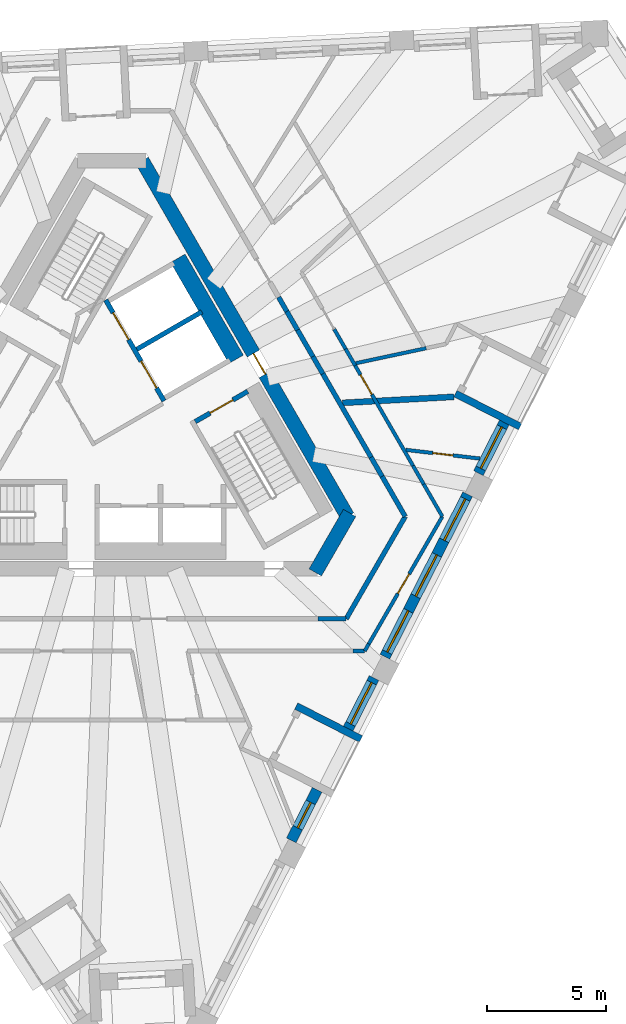
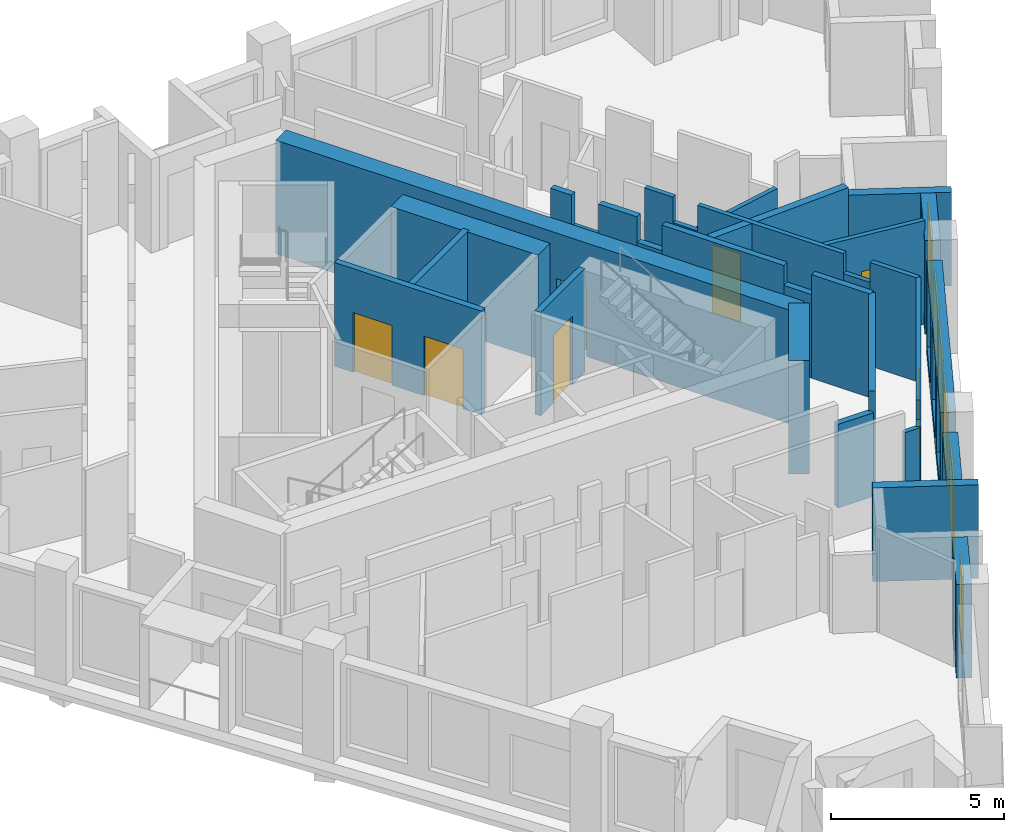
# One storey, part 5 of 12: 32 walls, 7 doors, 6 windows, 13 openings.
"""IFC4 building model written with IfcOpenShell, lengths in metres."""

from ifc_helpers import new_model, si_unit, direction, frame, frame_2d, origin, place, context, subcontext, project, spatial, rectangle, extrude, material, layer, layer_set, type_object, element, fill, save


model = new_model("IFC4")

# Units and contexts
model_context = context("Model", 3, precision=1e-05, world=origin(), true_north=direction((0.0, 1.0)))
body_context = subcontext(model_context, "Body", "Model", "MODEL_VIEW")
ifc_project = project(units=[si_unit("LENGTHUNIT", "METRE"), si_unit("AREAUNIT", "SQUARE_METRE"), si_unit("VOLUMEUNIT", "CUBIC_METRE"), si_unit("PLANEANGLEUNIT", "RADIAN"), si_unit("MASSUNIT", "GRAM", prefix="KILO")], contexts=[model_context])

# Site, building, storey
site_placement = place(None, origin())
site = spatial("IfcSite", under=ifc_project, at=site_placement, CompositionType="ELEMENT")
building_placement = place(site_placement, origin())
building = spatial("IfcBuilding", under=site, at=building_placement, Name="Tramontana Tower", CompositionType="ELEMENT")
storey_placement = place(building_placement, frame((0.0, 0.0, 302.39990234375)))
storey = spatial("IfcBuildingStorey", under=building, at=storey_placement, Name="L71", CompositionType="ELEMENT", Elevation=302.39990234375)

# Wall
ifc_material_1 = material(Name="Concrete 70 MPa", Category="concrete")
ifc_layer_1 = layer(ifc_material_1, 0.60009765625)
ifc_layer_set_1 = layer_set([ifc_layer_1], Name="Core wall 600 70 MPa")
wall_type_1 = type_object("IfcWallType", Name="Core wall 600 70 MPa", PredefinedType="SHEAR", material=ifc_layer_set_1)
wall_1_placement = place(storey_placement, frame((8.544921875, -6.60009765625, 0.0), z_axis=(0.0, 0.0, 1.0), x_axis=(0.499995765644, 0.866027848477, 0.0)))
element("IfcWall", 1, at=wall_1_placement, inside=storey, type_object=wall_type_1, Name="Core wall C4 L71", PredefinedType="SHEAR", context=body_context, shape_type="SweptSolid", body=[
    extrude(rectangle(XDim=2.88671875, YDim=0.60009765625, at=frame_2d((1.443359375, 0.0))), origin(), (0.0, 0.0, 1.0), 4.0),
])

# Wall, opening, door
wall_2_placement = place(storey_placement, frame((9.901611328125, -4.25, 0.0), z_axis=(0.0, 0.0, 1.0), x_axis=(-0.499999536116, 0.866025671608, 0.0)))
wall_2 = element("IfcWall", 2, at=wall_2_placement, inside=storey, type_object=wall_type_1, Name="Core wall C5 L71", PredefinedType="SHEAR", context=body_context, shape_type="SweptSolid", body=[
    extrude(rectangle(XDim=17.2626953125, YDim=0.60009765625, at=frame_2d((8.63134765625, 0.0))), origin(), (0.0, 0.0, 1.0), 4.0),
])
opening_1_placement = place(wall_2_placement, frame((6.906494140625, 0.0, 0.0)))
opening_1 = element("IfcOpeningElement", 3, at=opening_1_placement, cuts=wall_2, Name="Opening RG3", PredefinedType="OPENING", context=body_context, shape_type="SweptSolid", body=[
    extrude(rectangle(XDim=1.0, YDim=2.39990234375, at=frame_2d((0.5, 1.199951171875))), frame((0.0, 0.31005859375, 0.0), z_axis=(0.0, -1.0, 0.0), x_axis=(1.0, 0.0, 0.0)), (0.0, 0.0, 1.0), 0.6201171875),
])
ifc_material_2 = material(Name="Painted steel", Category="steel")
door_type_1 = type_object("IfcDoorType", Name="RING DOOR 1000", OperationType="SINGLE_SWING_LEFT", PredefinedType="DOOR", material=ifc_material_2)
door_1_placement = place(opening_1_placement, origin())
door_1 = element("IfcDoor", 4, at=door_1_placement, inside=storey, type_object=door_type_1, Name="Door RG3", OperationType="SINGLE_SWING_RIGHT", OverallHeight=2.39990234375, OverallWidth=1.0, PredefinedType="DOOR", context=body_context, shape_type="SweptSolid", body=[
    extrude(rectangle(XDim=1.0, YDim=2.39990234375, at=frame_2d((0.5, 1.199951171875))), frame((0.0, 0.02490234375, 0.0), z_axis=(0.0, -1.0, 0.0), x_axis=(1.0, 0.0, 0.0)), (0.0, 0.0, 1.0), 0.050048828125),
])
fill(opening_1, door_1)

# Walls
ifc_material_3 = material(Name="Blockwork", Category="masonry")
ifc_layer_2 = layer(ifc_material_3, 0.199951171875)
ifc_layer_set_2 = layer_set([ifc_layer_2], Name="ENTRY WALL 200")
wall_type_2 = type_object("IfcWallType", Name="ENTRY WALL 200", PredefinedType="SOLIDWALL", material=ifc_layer_set_2)
wall_3_placement = place(storey_placement, frame((12.326416015625, -4.25, 0.0), z_axis=(0.0, 0.0, 1.0), x_axis=(-0.50000478328, -0.866022642139, 0.0)))
element("IfcWall", 5, at=wall_3_placement, inside=storey, type_object=wall_type_2, Name="Wall v72-ew0", PredefinedType="SOLIDWALL", context=body_context, shape_type="SweptSolid", body=[
    extrude(rectangle(XDim=4.96533203125, YDim=0.199951171875, at=frame_2d((2.482666015625, 0.0))), origin(), (0.0, 0.0, 1.0), 3.650146484375),
])
wall_4_placement = place(storey_placement, frame((9.84375, -8.550048828125, 0.0), z_axis=(0.0, 0.0, 1.0), x_axis=(-1.0, 0.0, 0.0)))
element("IfcWall", 6, at=wall_4_placement, inside=storey, type_object=wall_type_2, Name="Wall v72-ew1-0", PredefinedType="SOLIDWALL", context=body_context, shape_type="SweptSolid", body=[
    extrude(rectangle(XDim=1.1884765625, YDim=0.199951171875, at=frame_2d((0.59423828125, 0.0))), origin(), (0.0, 0.0, 1.0), 2.9501953125),
])
wall_5_placement = place(storey_placement, frame((7.0068359375, 4.963623046875, 0.0), z_axis=(0.0, 0.0, 1.0), x_axis=(0.499977339252, -0.866038486578, 0.0)))
element("IfcWall", 7, at=wall_5_placement, inside=storey, type_object=wall_type_2, Name="Wall v72-ew5-5", PredefinedType="SOLIDWALL", context=body_context, shape_type="SweptSolid", body=[
    extrude(rectangle(XDim=0.69091796875, YDim=0.199951171875, at=frame_2d((0.345458984375, 0.0))), origin(), (0.0, 0.0, 1.0), 3.650146484375),
])
wall_6_placement = place(storey_placement, frame((7.352294921875, 4.365234375, 0.0), z_axis=(0.0, 0.0, 1.0), x_axis=(0.500074377092, -0.865982457891, 0.0)))
element("IfcWall", 8, at=wall_6_placement, inside=storey, type_object=wall_type_2, Name="Wall v72-ew5-6", PredefinedType="SOLIDWALL", context=body_context, shape_type="SweptSolid", body=[
    extrude(rectangle(XDim=0.900634765625, YDim=0.199951171875, at=frame_2d((0.4501953125, 0.0))), origin(), (0.0, 0.0, 1.0), 2.550048828125),
])
wall_7_placement = place(storey_placement, frame((7.802734375, 3.585205078125, 0.0), z_axis=(0.0, 0.0, 1.0), x_axis=(0.500018234033, -0.866014876105, 0.0)))
element("IfcWall", 9, at=wall_7_placement, inside=storey, type_object=wall_type_2, Name="Wall v72-ew5-7", PredefinedType="SOLIDWALL", context=body_context, shape_type="SweptSolid", body=[
    extrude(rectangle(XDim=1.2861328125, YDim=0.199951171875, at=frame_2d((0.64306640625, 0.0))), origin(), (0.0, 0.0, 1.0), 3.650146484375),
])
wall_8_placement = place(storey_placement, frame((8.44580078125, 2.471435546875, 0.0), z_axis=(0.0, 0.0, 1.0), x_axis=(0.499950631041, -0.86605390509, 0.0)))
element("IfcWall", 10, at=wall_8_placement, inside=storey, type_object=wall_type_2, Name="Wall v72-ew5-8", PredefinedType="SOLIDWALL", context=body_context, shape_type="SweptSolid", body=[
    extrude(rectangle(XDim=0.83349609375, YDim=0.199951171875, at=frame_2d((0.416748046875, 0.0))), origin(), (0.0, 0.0, 1.0), 2.75),
])
wall_9_placement = place(storey_placement, frame((8.862548828125, 1.74951171875, 0.0), z_axis=(0.0, 0.0, 1.0), x_axis=(0.500007556608, -0.866021040931, 0.0)))
element("IfcWall", 11, at=wall_9_placement, inside=storey, type_object=wall_type_2, Name="Wall v72-ew5-9", PredefinedType="SOLIDWALL", context=body_context, shape_type="SweptSolid", body=[
    extrude(rectangle(XDim=4.05224609375, YDim=0.199951171875, at=frame_2d((2.026123046875, 0.0))), origin(), (0.0, 0.0, 1.0), 3.650146484375),
])
wall_10_placement = place(storey_placement, frame((10.888671875, -1.759765625, 0.0), z_axis=(0.0, 0.0, 1.0), x_axis=(0.500102178127, -0.865966403178, 0.0)))
element("IfcWall", 12, at=wall_10_placement, inside=storey, type_object=wall_type_2, Name="Wall v72-ew5-10", PredefinedType="SOLIDWALL", context=body_context, shape_type="SweptSolid", body=[
    extrude(rectangle(XDim=0.927490234375, YDim=0.199951171875, at=frame_2d((0.4638671875, 0.0))), origin(), (0.0, 0.0, 1.0), 2.9501953125),
])
wall_11_placement = place(storey_placement, frame((11.3525390625, -2.56298828125, 0.0), z_axis=(0.0, 0.0, 1.0), x_axis=(0.499953905513, -0.866052014814, 0.0)))
element("IfcWall", 13, at=wall_11_placement, inside=storey, type_object=wall_type_2, Name="Wall v72-ew5-11", PredefinedType="SOLIDWALL", context=body_context, shape_type="SweptSolid", body=[
    extrude(rectangle(XDim=1.947998046875, YDim=0.199951171875, at=frame_2d((0.97412109375, 0.0))), origin(), (0.0, 0.0, 1.0), 3.650146484375),
])

# Wall, opening, window
ifc_material_4 = material(Name="Precast concrete 60 MPa", Category="concrete")
ifc_layer_3 = layer(ifc_material_4, 0.449951171875)
ifc_layer_set_3 = layer_set([ifc_layer_3], Name="Precast concrete 60 MPa, 450 mm")
wall_type_3 = type_object("IfcWallType", Name="EW1 Stone-faced precast wall 450", PredefinedType="SOLIDWALL", material=ifc_layer_set_3)
wall_12_placement = place(storey_placement, frame((7.53857421875, -17.859375, 0.0), z_axis=(0.0, 0.0, 1.0), x_axis=(0.454074413722, 0.890963762901, 0.0)))
wall_12 = element("IfcWall", 14, at=wall_12_placement, inside=storey, type_object=wall_type_3, Name="External wall L71 face 1 bay 2", PredefinedType="SOLIDWALL", context=body_context, shape_type="SweptSolid", body=[
    extrude(rectangle(XDim=2.38671875, YDim=0.449951171875, at=frame_2d((1.193359375, 0.0))), origin(), (0.0, 0.0, 1.0), 3.300048828125),
])
opening_2_placement = place(wall_12_placement, frame((0.59326171875, 0.0, 0.39990234375)))
opening_2 = element("IfcOpeningElement", 15, at=opening_2_placement, cuts=wall_12, Name="Opening N3", PredefinedType="OPENING", context=body_context, shape_type="SweptSolid", body=[
    extrude(rectangle(XDim=1.199951171875, YDim=2.75, at=frame_2d((0.60009765625, 1.375))), frame((0.0, 0.23486328125, 0.0), z_axis=(0.0, -1.0, 0.0), x_axis=(1.0, 0.0, 0.0)), (0.0, 0.0, 1.0), 0.469970703125),
])
ifc_material_5 = material(Name="Aluminum frame, double glazing unit", Category="aluminium")
window_type_1 = type_object("IfcWindowType", Name="N3 Window 1.2 x 2.75", PartitioningType="SINGLE_PANEL", PredefinedType="WINDOW", material=ifc_material_5)
window_1_placement = place(opening_2_placement, origin())
window_1 = element("IfcWindow", 16, at=window_1_placement, inside=storey, type_object=window_type_1, Name="Window N3 L71 face 1 module 4", OverallHeight=2.75, OverallWidth=1.199951171875, PartitioningType="SINGLE_PANEL", PredefinedType="WINDOW", context=body_context, shape_type="SweptSolid", body=[
    extrude(rectangle(XDim=1.199951171875, YDim=2.75, at=frame_2d((0.60009765625, 1.375))), frame((0.0, 0.030029296875, 0.0), z_axis=(0.0, -1.0, 0.0), x_axis=(1.0, 0.0, 0.0)), (0.0, 0.0, 1.0), 0.06005859375),
])
fill(opening_2, window_1)

wall_13_placement = place(storey_placement, frame((9.932861328125, -13.16064453125, 0.0), z_axis=(0.0, 0.0, 1.0), x_axis=(0.453993206954, 0.891005144788, 0.0)))
wall_13 = element("IfcWall", 17, at=wall_13_placement, inside=storey, type_object=wall_type_3, Name="External wall L71 face 1 bay 2", PredefinedType="SOLIDWALL", context=body_context, shape_type="SweptSolid", body=[
    extrude(rectangle(XDim=2.386474609375, YDim=0.449951171875, at=frame_2d((1.193359375, 0.0))), origin(), (0.0, 0.0, 1.0), 3.300048828125),
])
opening_3_placement = place(wall_13_placement, frame((0.21826171875, 0.0, 0.39990234375)))
opening_3 = element("IfcOpeningElement", 18, at=opening_3_placement, cuts=wall_13, Name="Opening M3", PredefinedType="OPENING", context=body_context, shape_type="SweptSolid", body=[
    extrude(rectangle(XDim=1.949951171875, YDim=2.75, at=frame_2d((0.97509765625, 1.375))), frame((0.0, 0.23486328125, 0.0), z_axis=(0.0, -1.0, 0.0), x_axis=(1.0, 0.0, 0.0)), (0.0, 0.0, 1.0), 0.469970703125),
])
ifc_material_6 = material(Name="Aluminum frame, double glazing unit", Category="aluminium")
window_type_2 = type_object("IfcWindowType", Name="M3 Window 1.95 x 2.75", PartitioningType="SINGLE_PANEL", PredefinedType="WINDOW", material=ifc_material_6)
window_2_placement = place(opening_3_placement, origin())
window_2 = element("IfcWindow", 19, at=window_2_placement, inside=storey, type_object=window_type_2, Name="Window M3 L71 face 1 module 6", OverallHeight=2.75, OverallWidth=1.949951171875, PartitioningType="SINGLE_PANEL", PredefinedType="WINDOW", context=body_context, shape_type="SweptSolid", body=[
    extrude(rectangle(XDim=1.949951171875, YDim=2.75, at=frame_2d((0.97509765625, 1.375))), frame((0.0, 0.030029296875, 0.0), z_axis=(0.0, -1.0, 0.0), x_axis=(1.0, 0.0, 0.0)), (0.0, 0.0, 1.0), 0.06005859375),
])
fill(opening_3, window_2)

# Wall, openings, windows
wall_14_placement = place(storey_placement, frame((11.47021484375, -10.14306640625, 0.0), z_axis=(0.0, 0.0, 1.0), x_axis=(0.453995484395, 0.891003984362, 0.0)))
wall_14 = element("IfcWall", 20, at=wall_14_placement, inside=storey, type_object=wall_type_3, Name="External wall L71 face 1 bay 3", PredefinedType="SOLIDWALL", context=body_context, shape_type="SweptSolid", body=[
    extrude(rectangle(XDim=7.660400390625, YDim=0.449951171875, at=frame_2d((3.830078125, 0.0))), origin(), (0.0, 0.0, 1.0), 3.300048828125),
])
opening_4_placement = place(wall_14_placement, frame((0.21826171875, 0.0, 0.39990234375)))
opening_4 = element("IfcOpeningElement", 21, at=opening_4_placement, cuts=wall_14, Name="Opening M3", PredefinedType="OPENING", context=body_context, shape_type="SweptSolid", body=[
    extrude(rectangle(XDim=1.949951171875, YDim=2.75, at=frame_2d((0.97509765625, 1.375))), frame((0.0, 0.23486328125, 0.0), z_axis=(0.0, -1.0, 0.0), x_axis=(1.0, 0.0, 0.0)), (0.0, 0.0, 1.0), 0.469970703125),
])
opening_5_placement = place(wall_14_placement, frame((2.855224609375, 0.0, 0.39990234375)))
opening_5 = element("IfcOpeningElement", 22, at=opening_5_placement, cuts=wall_14, Name="Opening M3", PredefinedType="OPENING", context=body_context, shape_type="SweptSolid", body=[
    extrude(rectangle(XDim=1.949951171875, YDim=2.75, at=frame_2d((0.97509765625, 1.375))), frame((0.0, 0.23486328125, 0.0), z_axis=(0.0, -1.0, 0.0), x_axis=(1.0, 0.0, 0.0)), (0.0, 0.0, 1.0), 0.469970703125),
])
opening_6_placement = place(wall_14_placement, frame((5.491943359375, 0.0, 0.39990234375)))
opening_6 = element("IfcOpeningElement", 23, at=opening_6_placement, cuts=wall_14, Name="Opening M3", PredefinedType="OPENING", context=body_context, shape_type="SweptSolid", body=[
    extrude(rectangle(XDim=1.949951171875, YDim=2.75, at=frame_2d((0.97509765625, 1.375))), frame((0.0, 0.23486328125, 0.0), z_axis=(0.0, -1.0, 0.0), x_axis=(1.0, 0.0, 0.0)), (0.0, 0.0, 1.0), 0.469970703125),
])
window_3_placement = place(opening_4_placement, origin())
window_3 = element("IfcWindow", 24, at=window_3_placement, inside=storey, type_object=window_type_2, Name="Window M3 L71 face 1 module 7", OverallHeight=2.75, OverallWidth=1.949951171875, PartitioningType="SINGLE_PANEL", PredefinedType="WINDOW", context=body_context, shape_type="SweptSolid", body=[
    extrude(rectangle(XDim=1.949951171875, YDim=2.75, at=frame_2d((0.97509765625, 1.375))), frame((0.0, 0.030029296875, 0.0), z_axis=(0.0, -1.0, 0.0), x_axis=(1.0, 0.0, 0.0)), (0.0, 0.0, 1.0), 0.06005859375),
])
fill(opening_4, window_3)
window_4_placement = place(opening_5_placement, origin())
window_4 = element("IfcWindow", 25, at=window_4_placement, inside=storey, type_object=window_type_2, Name="Window M3 L71 face 1 module 8", OverallHeight=2.75, OverallWidth=1.949951171875, PartitioningType="SINGLE_PANEL", PredefinedType="WINDOW", context=body_context, shape_type="SweptSolid", body=[
    extrude(rectangle(XDim=1.949951171875, YDim=2.75, at=frame_2d((0.97509765625, 1.375))), frame((0.0, 0.030029296875, 0.0), z_axis=(0.0, -1.0, 0.0), x_axis=(1.0, 0.0, 0.0)), (0.0, 0.0, 1.0), 0.06005859375),
])
fill(opening_5, window_4)
window_5_placement = place(opening_6_placement, origin())
window_5 = element("IfcWindow", 26, at=window_5_placement, inside=storey, type_object=window_type_2, Name="Window M3 L71 face 1 module 9", OverallHeight=2.75, OverallWidth=1.949951171875, PartitioningType="SINGLE_PANEL", PredefinedType="WINDOW", context=body_context, shape_type="SweptSolid", body=[
    extrude(rectangle(XDim=1.949951171875, YDim=2.75, at=frame_2d((0.97509765625, 1.375))), frame((0.0, 0.030029296875, 0.0), z_axis=(0.0, -1.0, 0.0), x_axis=(1.0, 0.0, 0.0)), (0.0, 0.0, 1.0), 0.06005859375),
])
fill(opening_6, window_5)

# Wall, opening, window
wall_15_placement = place(storey_placement, frame((15.402099609375, -2.4267578125, 0.0), z_axis=(0.0, 0.0, 1.0), x_axis=(0.453951830128, 0.891026226283, 0.0)))
wall_15 = element("IfcWall", 27, at=wall_15_placement, inside=storey, type_object=wall_type_3, Name="External wall L71 face 1 bay 4", PredefinedType="SOLIDWALL", context=body_context, shape_type="SweptSolid", body=[
    extrude(rectangle(XDim=2.38671875, YDim=0.449951171875, at=frame_2d((1.193359375, 0.0))), origin(), (0.0, 0.0, 1.0), 3.300048828125),
])
opening_7_placement = place(wall_15_placement, frame((0.21826171875, 0.0, 0.39990234375)))
opening_7 = element("IfcOpeningElement", 28, at=opening_7_placement, cuts=wall_15, Name="Opening M3", PredefinedType="OPENING", context=body_context, shape_type="SweptSolid", body=[
    extrude(rectangle(XDim=1.949951171875, YDim=2.75, at=frame_2d((0.97509765625, 1.375))), frame((0.0, 0.23486328125, 0.0), z_axis=(0.0, -1.0, 0.0), x_axis=(1.0, 0.0, 0.0)), (0.0, 0.0, 1.0), 0.469970703125),
])
window_6_placement = place(opening_7_placement, origin())
window_6 = element("IfcWindow", 29, at=window_6_placement, inside=storey, type_object=window_type_2, Name="Window M3 L71 face 1 module 10", OverallHeight=2.75, OverallWidth=1.949951171875, PartitioningType="SINGLE_PANEL", PredefinedType="WINDOW", context=body_context, shape_type="SweptSolid", body=[
    extrude(rectangle(XDim=1.949951171875, YDim=2.75, at=frame_2d((0.97509765625, 1.375))), frame((0.0, 0.030029296875, 0.0), z_axis=(0.0, -1.0, 0.0), x_axis=(1.0, 0.0, 0.0)), (0.0, 0.0, 1.0), 0.06005859375),
])
fill(opening_7, window_6)

# Walls
ifc_material_7 = material(Name="Precast concrete 60 MPa", Category="concrete")
ifc_layer_4 = layer(ifc_material_7, 0.300048828125)
ifc_layer_set_4 = layer_set([ifc_layer_4], Name="LW1 Stone-faced loggia wall 300")
wall_type_4 = type_object("IfcWallType", Name="LW1 Stone-faced loggia wall 300", PredefinedType="SOLIDWALL", material=ifc_layer_set_4)
for number, where, z_axis, x_axis, name in (
    (30, (10.466064453125, -13.600830078125, 0.0), (0.0, 0.0, 1.0), (-0.890991233495, 0.454020508165, 0.0), "Loggia return L71 G7S1.4b"),
    (31, (17.155029296875, -0.472900390625, 0.0), (0.0, 0.0, 1.0), (-0.890991233495, 0.454020508165, 0.0), "Loggia return L71 G7S1.10a"),
):
    element("IfcWall", number, at=place(storey_placement, frame(where, z_axis=z_axis, x_axis=x_axis)), inside=storey, type_object=wall_type_4, Name=name, PredefinedType="SOLIDWALL", context=body_context, shape_type="SweptSolid", body=[
        extrude(rectangle(XDim=3.050048828125, YDim=0.300048828125, at=frame_2d((1.52490234375, 0.0))), origin(), (0.0, 0.0, 1.0), 3.300048828125),
    ])
ifc_material_8 = material(Name="Gypsum board partition")
ifc_layer_5 = layer(ifc_material_8, 0.14990234375)
ifc_layer_set_5 = layer_set([ifc_layer_5], Name="PARTITION 150")
wall_type_5 = type_object("IfcWallType", Name="PARTITION 150", PredefinedType="PARTITIONING", material=ifc_layer_set_5)
wall_16_placement = place(storey_placement, frame((9.34326171875, 3.616943359375, 0.0), z_axis=(0.0, 0.0, 1.0), x_axis=(0.500115051963, -0.865958968312, 0.0)))
element("IfcWall", 32, at=wall_16_placement, inside=storey, type_object=wall_type_5, Name="Wall v72-pw27-3", PredefinedType="PARTITIONING", context=body_context, shape_type="SweptSolid", body=[
    extrude(rectangle(XDim=0.950927734375, YDim=0.14990234375, at=frame_2d((0.4755859375, 0.0))), origin(), (0.0, 0.0, 1.0), 3.650146484375),
])
wall_17_placement = place(storey_placement, frame((9.81884765625, 2.79345703125, 0.0), z_axis=(0.0, 0.0, 1.0), x_axis=(0.499748625964, -0.866170486017, 0.0)))
element("IfcWall", 33, at=wall_17_placement, inside=storey, type_object=wall_type_5, Name="Wall v72-pw27-4", PredefinedType="PARTITIONING", context=body_context, shape_type="SweptSolid", body=[
    extrude(rectangle(XDim=0.8076171875, YDim=0.14990234375, at=frame_2d((0.40380859375, 0.0))), origin(), (0.0, 0.0, 1.0), 2.75),
])

# Wall, opening, door
wall_18_placement = place(storey_placement, frame((10.222412109375, 2.093994140625, 0.0), z_axis=(0.0, 0.0, 1.0), x_axis=(0.500012305324, -0.866018299186, 0.0)))
wall_18 = element("IfcWall", 34, at=wall_18_placement, inside=storey, type_object=wall_type_5, Name="Wall v72-pw27-5", PredefinedType="PARTITIONING", context=body_context, shape_type="SweptSolid", body=[
    extrude(rectangle(XDim=4.86083984375, YDim=0.14990234375, at=frame_2d((2.430419921875, 0.0))), origin(), (0.0, 0.0, 1.0), 3.650146484375),
])
opening_8_placement = place(wall_18_placement, frame((0.45263671875, 0.0, 0.0)))
opening_8 = element("IfcOpeningElement", 35, at=opening_8_placement, cuts=wall_18, Name="Opening B7C-15", PredefinedType="OPENING", context=body_context, shape_type="SweptSolid", body=[
    extrude(rectangle(XDim=0.949951171875, YDim=2.39990234375, at=frame_2d((0.47509765625, 1.199951171875))), frame((0.0, 0.0849609375, 0.0), z_axis=(0.0, -1.0, 0.0), x_axis=(1.0, 0.0, 0.0)), (0.0, 0.0, 1.0), 0.169921875),
])
ifc_material_9 = material(Name="Painted timber", Category="wood")
door_type_2 = type_object("IfcDoorType", Name="DOOR ROOM 950", OperationType="SINGLE_SWING_LEFT", PredefinedType="DOOR", material=ifc_material_9)
door_2_placement = place(opening_8_placement, origin())
door_2 = element("IfcDoor", 36, at=door_2_placement, inside=storey, type_object=door_type_2, Name="Door B7C-15", OperationType="SINGLE_SWING_LEFT", OverallHeight=2.39990234375, OverallWidth=0.949951171875, PredefinedType="DOOR", context=body_context, shape_type="SweptSolid", body=[
    extrude(rectangle(XDim=0.949951171875, YDim=2.39990234375, at=frame_2d((0.47509765625, 1.199951171875))), frame((0.0, 0.02490234375, 0.0), z_axis=(0.0, -1.0, 0.0), x_axis=(1.0, 0.0, 0.0)), (0.0, 0.0, 1.0), 0.050048828125),
])
fill(opening_8, door_2)

# Walls
wall_19_placement = place(storey_placement, frame((12.65283203125, -2.115478515625, 0.0), z_axis=(0.0, 0.0, 1.0), x_axis=(0.500132045864, -0.865949153646, 0.0)))
element("IfcWall", 37, at=wall_19_placement, inside=storey, type_object=wall_type_5, Name="Wall v72-pw27-6", PredefinedType="PARTITIONING", context=body_context, shape_type="SweptSolid", body=[
    extrude(rectangle(XDim=0.894287109375, YDim=0.14990234375, at=frame_2d((0.447265625, 0.0))), origin(), (0.0, 0.0, 1.0), 2.9501953125),
])
wall_20_placement = place(storey_placement, frame((13.10009765625, -2.889892578125, 0.0), z_axis=(0.0, 0.0, 1.0), x_axis=(0.499951222523, -0.866053563643, 0.0)))
element("IfcWall", 38, at=wall_20_placement, inside=storey, type_object=wall_type_5, Name="Wall v72-pw27-7", PredefinedType="PARTITIONING", context=body_context, shape_type="SweptSolid", body=[
    extrude(rectangle(XDim=1.570556640625, YDim=0.14990234375, at=frame_2d((0.78515625, 0.0))), origin(), (0.0, 0.0, 1.0), 3.650146484375),
])
wall_21_placement = place(storey_placement, frame((10.623291015625, -9.89990234375, 0.0), z_axis=(0.0, 0.0, 1.0), x_axis=(-1.0, 0.0, 0.0)))
element("IfcWall", 39, at=wall_21_placement, inside=storey, type_object=wall_type_5, Name="Wall v72-pw30-0", PredefinedType="PARTITIONING", context=body_context, shape_type="SweptSolid", body=[
    extrude(rectangle(XDim=0.501953125, YDim=0.14990234375, at=frame_2d((0.2509765625, 0.0))), origin(), (0.0, 0.0, 1.0), 2.9501953125),
])

# Wall, opening, door
wall_22_placement = place(storey_placement, frame((13.88525390625, -4.25, 0.0), z_axis=(0.0, 0.0, 1.0), x_axis=(-0.500003887042, -0.866023159588, 0.0)))
wall_22 = element("IfcWall", 40, at=wall_22_placement, inside=storey, type_object=wall_type_5, Name="Wall v72-pw31-0", PredefinedType="PARTITIONING", context=body_context, shape_type="SweptSolid", body=[
    extrude(rectangle(XDim=6.1826171875, YDim=0.14990234375, at=frame_2d((3.09130859375, 0.0))), origin(), (0.0, 0.0, 1.0), 3.650146484375),
])
opening_9_placement = place(wall_22_placement, frame((2.787109375, 0.0, 0.0)))
opening_9 = element("IfcOpeningElement", 41, at=opening_9_placement, cuts=wall_22, Name="Opening B7C-10", PredefinedType="OPENING", context=body_context, shape_type="SweptSolid", body=[
    extrude(rectangle(XDim=0.949951171875, YDim=2.39990234375, at=frame_2d((0.47509765625, 1.199951171875))), frame((0.0, 0.0849609375, 0.0), z_axis=(0.0, -1.0, 0.0), x_axis=(1.0, 0.0, 0.0)), (0.0, 0.0, 1.0), 0.169921875),
])
door_3_placement = place(opening_9_placement, origin())
door_3 = element("IfcDoor", 42, at=door_3_placement, inside=storey, type_object=door_type_2, Name="Door B7C-10", OperationType="SINGLE_SWING_RIGHT", OverallHeight=2.39990234375, OverallWidth=0.949951171875, PredefinedType="DOOR", context=body_context, shape_type="SweptSolid", body=[
    extrude(rectangle(XDim=0.949951171875, YDim=2.39990234375, at=frame_2d((0.47509765625, 1.199951171875))), frame((0.0, 0.02490234375, 0.0), z_axis=(0.0, -1.0, 0.0), x_axis=(1.0, 0.0, 0.0)), (0.0, 0.0, 1.0), 0.050048828125),
])
fill(opening_9, door_3)

# Walls
wall_23_placement = place(storey_placement, frame((10.7939453125, -9.604248046875, 0.0), z_axis=(0.0, 0.0, 1.0), x_axis=(-0.499908181442, -0.866078408764, 0.0)))
element("IfcWall", 43, at=wall_23_placement, inside=storey, type_object=wall_type_5, Name="Wall v72-pw31-1", PredefinedType="PARTITIONING", context=body_context, shape_type="SweptSolid", body=[
    extrude(rectangle(XDim=0.34130859375, YDim=0.14990234375, at=frame_2d((0.170654296875, 0.0))), origin(), (0.0, 0.0, 1.0), 2.9501953125),
])
wall_24_placement = place(storey_placement, frame((13.20458984375, 2.8212890625, 0.0), z_axis=(0.0, 0.0, 1.0), x_axis=(-0.977923010203, -0.208965514176, 0.0)))
element("IfcWall", 44, at=wall_24_placement, inside=storey, type_object=wall_type_5, Name="Wall v72-pw32-1", PredefinedType="PARTITIONING", context=body_context, shape_type="SweptSolid", body=[
    extrude(rectangle(XDim=3.017822265625, YDim=0.14990234375, at=frame_2d((1.5087890625, 0.0))), origin(), (0.0, 0.0, 1.0), 2.75),
])

# Wall, opening, door
wall_25_placement = place(storey_placement, frame((12.35546875, -1.4501953125, 0.0), z_axis=(0.0, 0.0, 1.0), x_axis=(0.993183074632, -0.116564918672, 0.0)))
wall_25 = element("IfcWall", 45, at=wall_25_placement, inside=storey, type_object=wall_type_5, Name="Wall v72-pw34", PredefinedType="PARTITIONING", context=body_context, shape_type="SweptSolid", body=[
    extrude(rectangle(XDim=3.126953125, YDim=0.14990234375, at=frame_2d((1.5634765625, 0.0))), origin(), (0.0, 0.0, 1.0), 3.650146484375),
])
opening_10_placement = place(wall_25_placement, frame((1.138671875, 0.0, 0.0)))
opening_10 = element("IfcOpeningElement", 46, at=opening_10_placement, cuts=wall_25, Name="Opening B7C-11", PredefinedType="OPENING", context=body_context, shape_type="SweptSolid", body=[
    extrude(rectangle(XDim=0.85009765625, YDim=2.39990234375, at=frame_2d((0.425048828125, 1.199951171875))), frame((0.0, 0.0849609375, 0.0), z_axis=(0.0, -1.0, 0.0), x_axis=(1.0, 0.0, 0.0)), (0.0, 0.0, 1.0), 0.169921875),
])
ifc_material_10 = material(Name="Painted timber", Category="wood")
door_type_3 = type_object("IfcDoorType", Name="DOOR BATH 850", OperationType="SINGLE_SWING_LEFT", PredefinedType="DOOR", material=ifc_material_10)
door_4_placement = place(opening_10_placement, origin())
door_4 = element("IfcDoor", 47, at=door_4_placement, inside=storey, type_object=door_type_3, Name="Door B7C-11", OperationType="SINGLE_SWING_LEFT", OverallHeight=2.39990234375, OverallWidth=0.85009765625, PredefinedType="DOOR", context=body_context, shape_type="SweptSolid", body=[
    extrude(rectangle(XDim=0.85009765625, YDim=2.39990234375, at=frame_2d((0.425048828125, 1.199951171875))), frame((0.0, 0.02490234375, 0.0), z_axis=(0.0, -1.0, 0.0), x_axis=(1.0, 0.0, 0.0)), (0.0, 0.0, 1.0), 0.050048828125),
])
fill(opening_10, door_4)

# Walls
ifc_material_11 = material(Name="Blockwork", Category="masonry")
ifc_layer_6 = layer(ifc_material_11, 0.25)
ifc_layer_set_6 = layer_set([ifc_layer_6], Name="PARTY WALL 250")
wall_type_6 = type_object("IfcWallType", Name="PARTY WALL 250", PredefinedType="SOLIDWALL", material=ifc_layer_set_6)
wall_26_placement = place(storey_placement, frame((9.685302734375, 0.5244140625, 0.0), z_axis=(0.0, 0.0, 1.0), x_axis=(0.998536885646, 0.054074837078, 0.0)))
element("IfcWall", 48, at=wall_26_placement, inside=storey, type_object=wall_type_6, Name="Wall v72-pw28", PredefinedType="SOLIDWALL", context=body_context, shape_type="SweptSolid", body=[
    extrude(rectangle(XDim=4.69091796875, YDim=0.25, at=frame_2d((2.345458984375, 0.0))), origin(), (0.0, 0.0, 1.0), 3.650146484375),
])
ifc_material_12 = material(Name="Concrete 70 MPa", Category="concrete")
ifc_layer_7 = layer(ifc_material_12, 0.699951171875)
ifc_layer_set_7 = layer_set([ifc_layer_7], Name="Concrete 70 MPa, 700 mm")
wall_type_7 = type_object("IfcWallType", Name="RC SHAFT BACK WALL 700", PredefinedType="SOLIDWALL", material=ifc_layer_set_7)
wall_27_placement = place(storey_placement, frame((5.221435546875, 2.3564453125, 0.0), z_axis=(0.0, 0.0, 1.0), x_axis=(-0.500040169509, 0.866002210665, 0.0)))
element("IfcWall", 49, at=wall_27_placement, inside=storey, type_object=wall_type_7, Name="Wall row2-back", PredefinedType="SOLIDWALL", context=body_context, shape_type="SweptSolid", body=[
    extrude(rectangle(XDim=4.89990234375, YDim=0.699951171875, at=frame_2d((2.449951171875, 0.0))), origin(), (0.0, 0.0, 1.0), 3.650146484375),
])

# Wall, opening, door
ifc_material_13 = material(Name="Concrete 70 MPa", Category="concrete")
ifc_layer_8 = layer(ifc_material_13, 0.199951171875)
ifc_layer_set_8 = layer_set([ifc_layer_8], Name="Concrete 70 MPa, 200 mm")
wall_type_8 = type_object("IfcWallType", Name="RC STAIR AND SHAFT WALL 200", PredefinedType="SOLIDWALL", material=ifc_layer_set_8)
wall_28_placement = place(storey_placement, frame((3.50146484375, -0.2646484375, 0.0), z_axis=(0.0, 0.0, 1.0), x_axis=(0.866030925526, 0.499990435942, 0.0)))
wall_28 = element("IfcWall", 50, at=wall_28_placement, inside=storey, type_object=wall_type_8, Name="Wall st3-near", PredefinedType="SOLIDWALL", context=body_context, shape_type="SweptSolid", body=[
    extrude(rectangle(XDim=2.5498046875, YDim=0.199951171875, at=frame_2d((1.27490234375, 0.0))), origin(), (0.0, 0.0, 1.0), 3.650146484375),
])
opening_11_placement = place(wall_28_placement, frame((0.72509765625, 0.0, 0.0)))
opening_11 = element("IfcOpeningElement", 51, at=opening_11_placement, cuts=wall_28, Name="Opening SD3", PredefinedType="OPENING", context=body_context, shape_type="SweptSolid", body=[
    extrude(rectangle(XDim=1.10009765625, YDim=2.39990234375, at=frame_2d((0.550048828125, 1.199951171875))), frame((0.0, 0.10986328125, 0.0), z_axis=(0.0, -1.0, 0.0), x_axis=(1.0, 0.0, 0.0)), (0.0, 0.0, 1.0), 0.219970703125),
])
ifc_material_14 = material(Name="Painted steel", Category="steel")
door_type_4 = type_object("IfcDoorType", Name="STAIR DOOR 1100", OperationType="SINGLE_SWING_LEFT", PredefinedType="DOOR", material=ifc_material_14)
door_5_placement = place(opening_11_placement, origin())
door_5 = element("IfcDoor", 52, at=door_5_placement, inside=storey, type_object=door_type_4, Name="Door SD3", OperationType="SINGLE_SWING_RIGHT", OverallHeight=2.39990234375, OverallWidth=1.10009765625, PredefinedType="DOOR", context=body_context, shape_type="SweptSolid", body=[
    extrude(rectangle(XDim=1.10009765625, YDim=2.39990234375, at=frame_2d((0.550048828125, 1.199951171875))), frame((0.0, 0.02490234375, 0.0), z_axis=(0.0, -1.0, 0.0), x_axis=(1.0, 0.0, 0.0)), (0.0, 0.0, 1.0), 0.050048828125),
])
fill(opening_11, door_5)

# Wall, openings, doors
wall_29_placement = place(storey_placement, frame((2.190185546875, 0.6064453125, 0.0), z_axis=(0.0, 0.0, 1.0), x_axis=(-0.500002801628, 0.866023786258, 0.0)))
wall_29 = element("IfcWall", 53, at=wall_29_placement, inside=storey, type_object=wall_type_8, Name="Wall row2-front", PredefinedType="SOLIDWALL", context=body_context, shape_type="SweptSolid", body=[
    extrude(rectangle(XDim=4.89990234375, YDim=0.199951171875, at=frame_2d((2.449951171875, 0.0))), origin(), (0.0, 0.0, 1.0), 3.650146484375),
])
opening_12_placement = place(wall_29_placement, frame((0.625, 0.0, 0.0)))
opening_12 = element("IfcOpeningElement", 54, at=opening_12_placement, cuts=wall_29, Name="Opening LD-F1", PredefinedType="OPENING", context=body_context, shape_type="SweptSolid", body=[
    extrude(rectangle(XDim=1.300048828125, YDim=2.10009765625, at=frame_2d((0.64990234375, 1.050048828125))), frame((0.0, 0.10986328125, 0.0), z_axis=(0.0, -1.0, 0.0), x_axis=(1.0, 0.0, 0.0)), (0.0, 0.0, 1.0), 0.219970703125),
])
opening_13_placement = place(wall_29_placement, frame((2.97509765625, 0.0, 0.0)))
opening_13 = element("IfcOpeningElement", 55, at=opening_13_placement, cuts=wall_29, Name="Opening LD-F2", PredefinedType="OPENING", context=body_context, shape_type="SweptSolid", body=[
    extrude(rectangle(XDim=1.300048828125, YDim=2.10009765625, at=frame_2d((0.64990234375, 1.050048828125))), frame((0.0, 0.10986328125, 0.0), z_axis=(0.0, -1.0, 0.0), x_axis=(1.0, 0.0, 0.0)), (0.0, 0.0, 1.0), 0.219970703125),
])
ifc_material_15 = material(Name="Brushed steel", Category="steel")
door_type_5 = type_object("IfcDoorType", Name="LANDING DOOR 1300", OperationType="SINGLE_SWING_LEFT", PredefinedType="DOOR", material=ifc_material_15)
door_6_placement = place(opening_12_placement, origin())
door_6 = element("IfcDoor", 56, at=door_6_placement, inside=storey, type_object=door_type_5, Name="Door LD-F1", OperationType="SLIDING_TO_LEFT", OverallHeight=2.10009765625, OverallWidth=1.300048828125, PredefinedType="DOOR", context=body_context, shape_type="SweptSolid", body=[
    extrude(rectangle(XDim=1.300048828125, YDim=2.10009765625, at=frame_2d((0.64990234375, 1.050048828125))), frame((0.0, 0.02490234375, 0.0), z_axis=(0.0, -1.0, 0.0), x_axis=(1.0, 0.0, 0.0)), (0.0, 0.0, 1.0), 0.050048828125),
])
fill(opening_12, door_6)
door_7_placement = place(opening_13_placement, origin())
door_7 = element("IfcDoor", 57, at=door_7_placement, inside=storey, type_object=door_type_5, Name="Door LD-F2", OperationType="SLIDING_TO_RIGHT", OverallHeight=2.10009765625, OverallWidth=1.300048828125, PredefinedType="DOOR", context=body_context, shape_type="SweptSolid", body=[
    extrude(rectangle(XDim=1.300048828125, YDim=2.10009765625, at=frame_2d((0.64990234375, 1.050048828125))), frame((0.0, 0.02490234375, 0.0), z_axis=(0.0, -1.0, 0.0), x_axis=(1.0, 0.0, 0.0)), (0.0, 0.0, 1.0), 0.050048828125),
])
fill(opening_13, door_7)

# Wall
wall_30_placement = place(storey_placement, frame((1.0517578125, 2.778076171875, 0.0), z_axis=(0.0, 0.0, 1.0), x_axis=(0.866035871367, 0.499981869177, 0.0)))
element("IfcWall", 58, at=wall_30_placement, inside=storey, type_object=wall_type_8, Name="Wall row2-side1", PredefinedType="SOLIDWALL", context=body_context, shape_type="SweptSolid", body=[
    extrude(rectangle(XDim=3.14990234375, YDim=0.199951171875, at=frame_2d((1.574951171875, 0.0))), origin(), (0.0, 0.0, 1.0), 3.650146484375),
])

save(model, "model.ifc")
